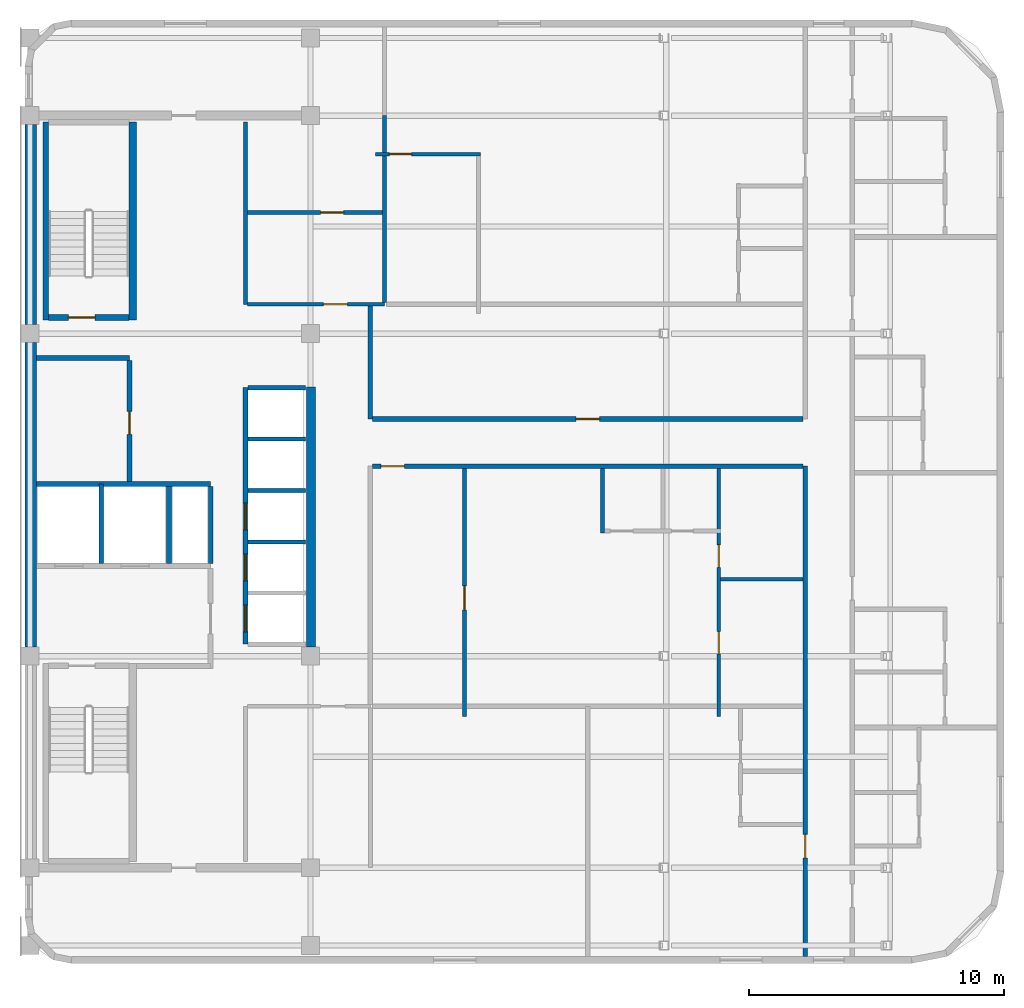
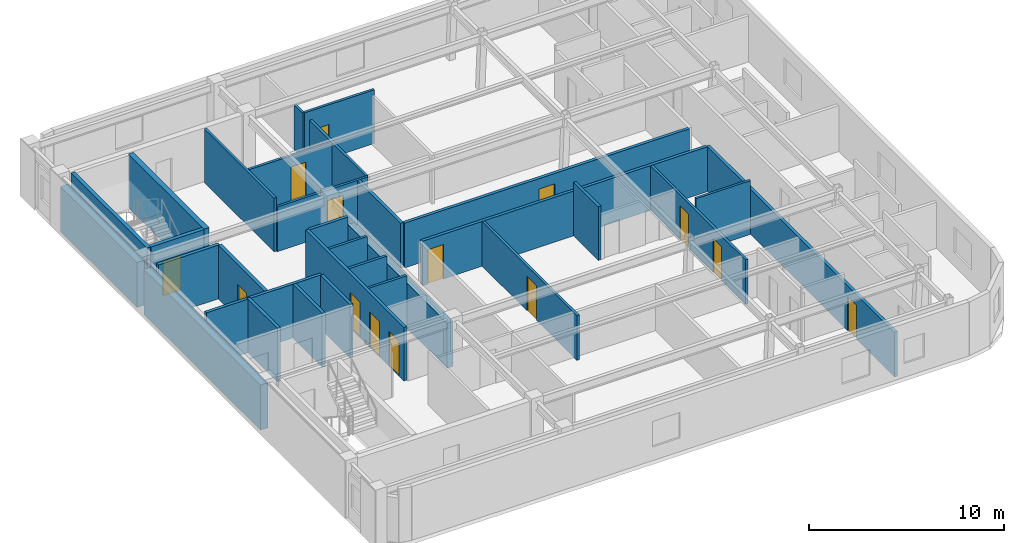
# One storey, part 3 of 6: 30 walls, 14 doors, 14 openings.
"""IFC4 building model written with IfcOpenShell, lengths in metres."""

from ifc_helpers import new_model, si_unit, direction, frame, frame_2d, origin, place, context, subcontext, project, spatial, rectangle, extrude, material, layer, layer_set, type_object, element, fill, save


model = new_model("IFC4")

# Units and contexts
model_context = context("Model", 3, precision=1e-05, world=origin(), true_north=direction((0.0, 1.0)))
body_context = subcontext(model_context, "Body", "Model", "MODEL_VIEW")
ifc_project = project(units=[si_unit("LENGTHUNIT", "METRE"), si_unit("AREAUNIT", "SQUARE_METRE"), si_unit("VOLUMEUNIT", "CUBIC_METRE"), si_unit("PLANEANGLEUNIT", "RADIAN"), si_unit("MASSUNIT", "GRAM", prefix="KILO")], contexts=[model_context])

# Site, building, storey
site_placement = place(None, origin())
site = spatial("IfcSite", under=ifc_project, at=site_placement, CompositionType="ELEMENT")
building_placement = place(site_placement, origin())
building = spatial("IfcBuilding", under=site, at=building_placement, Name="Ochreholt Gables", CompositionType="ELEMENT")
storey_placement = place(building_placement, frame((0.0, 0.0, 260.39990234375)))
storey = spatial("IfcBuildingStorey", under=building, at=storey_placement, Name="L68", CompositionType="ELEMENT", Elevation=260.39990234375)

# Walls
ifc_material_1 = material(Name="Concrete 50 MPa", Category="concrete")
ifc_layer_1 = layer(ifc_material_1, 0.35009765625, Name="Concrete 50 MPa")
ifc_layer_set_1 = layer_set([ifc_layer_1], Name="Concrete 50 MPa")
wall_type_1 = type_object("IfcWallType", Name="WALL-CSW-350", PredefinedType="SHEAR", material=ifc_layer_set_1)
wall_1_placement = place(storey_placement, frame((35.22509765625, 17.89990234375, 0.0), z_axis=(0.0, 0.0, 1.0), x_axis=(0.0, 1.0, 0.0)))
element("IfcWall", 1, at=wall_1_placement, inside=storey, type_object=wall_type_1, Name="L68 Core Central-East Shear Wall", PredefinedType="SHEAR", context=body_context, shape_type="SweptSolid", body=[
    extrude(rectangle(XDim=10.2001953125, YDim=0.35009765625, at=frame_2d((5.10009765625, 0.0))), origin(), (0.0, 0.0, 1.0), 2.821044921875),
])
ifc_layer_2 = layer(ifc_material_1, 0.449951171875, Name="Concrete 50 MPa")
ifc_layer_set_2 = layer_set([ifc_layer_2], Name="Concrete 50 MPa")
wall_type_2 = type_object("IfcWallType", Name="WALL-CSW-EXT", PredefinedType="SHEAR", material=ifc_layer_set_2)
wall_2_placement = place(storey_placement, frame((24.22509765625, 17.89990234375, 0.0), z_axis=(0.0, 0.0, 1.0), x_axis=(0.0, 1.0, 0.0)))
element("IfcWall", 2, at=wall_2_placement, inside=storey, type_object=wall_type_2, Name="L68 Core West Shear Wall WM", PredefinedType="SHEAR", context=body_context, shape_type="SweptSolid", body=[
    extrude(rectangle(XDim=11.9501953125, YDim=0.449951171875, at=frame_2d((5.97509765625, 0.0))), origin(), (0.0, 0.0, 1.0), 2.821044921875),
])
wall_3_placement = place(storey_placement, frame((24.22509765625, 30.550048828125, 0.0), z_axis=(0.0, 0.0, 1.0), x_axis=(0.0, 1.0, 0.0)))
element("IfcWall", 3, at=wall_3_placement, inside=storey, type_object=wall_type_2, Name="L68 Core West Shear Wall WN", PredefinedType="SHEAR", context=body_context, shape_type="SweptSolid", body=[
    extrude(rectangle(XDim=7.849853515625, YDim=0.449951171875, at=frame_2d((3.9248046875, 0.0))), origin(), (0.0, 0.0, 1.0), 2.821044921875),
])
ifc_material_2 = material(Name="Concrete 40 MPa", Category="concrete")
ifc_layer_3 = layer(ifc_material_2, 0.199951171875, Name="Concrete 40 MPa")
ifc_layer_set_3 = layer_set([ifc_layer_3], Name="Concrete 40 MPa")
wall_type_3 = type_object("IfcWallType", Name="WALL-INT-CF200", PredefinedType="STANDARD", material=ifc_layer_set_3)
wall_4_placement = place(storey_placement, frame((24.449951171875, 29.239990234375, 0.0), z_axis=(0.0, 0.0, 1.0), x_axis=(1.0, 0.0, 0.0)))
element("IfcWall", 4, at=wall_4_placement, inside=storey, type_object=wall_type_3, Name="L68 Interior Wall WI-SRVN-L68", PredefinedType="STANDARD", context=body_context, shape_type="SweptSolid", body=[
    extrude(rectangle(XDim=3.650146484375, YDim=0.199951171875, at=frame_2d((1.8251953125, 0.0))), origin(), (0.0, 0.0, 1.0), 3.360107421875),
])

# Wall, opening, door
wall_5_placement = place(storey_placement, frame((28.10009765625, 24.389892578125, 0.0), z_axis=(0.0, 0.0, 1.0), x_axis=(0.0, 1.0, 0.0)))
wall_5 = element("IfcWall", 5, at=wall_5_placement, inside=storey, type_object=wall_type_3, Name="L68 Interior Wall WI-SRVE-L68", PredefinedType="STANDARD", context=body_context, shape_type="SweptSolid", body=[
    extrude(rectangle(XDim=4.75, YDim=0.199951171875, at=frame_2d((2.375, 0.0))), origin(), (0.0, 0.0, 1.0), 3.360107421875),
])
opening_1_placement = place(wall_5_placement, frame((1.860107421875, 0.0, 0.0)))
opening_1 = element("IfcOpeningElement", 6, at=opening_1_placement, cuts=wall_5, Name="Opening D-SV1", PredefinedType="OPENING", context=body_context, shape_type="SweptSolid", body=[
    extrude(rectangle(XDim=0.89990234375, YDim=2.10009765625, at=frame_2d((0.449951171875, 1.050048828125))), frame((0.0, 0.10986328125, 0.0), z_axis=(0.0, -1.0, 0.0), x_axis=(1.0, 0.0, 0.0)), (0.0, 0.0, 1.0), 0.219970703125),
])
ifc_material_3 = material(Name="Hollow Metal Steel", Category="steel")
door_type_1 = type_object("IfcDoorType", Name="DR-INT-SRV900", OperationType="NOTDEFINED", PredefinedType="DOOR", material=ifc_material_3)
door_1_placement = place(opening_1_placement, origin())
door_1 = element("IfcDoor", 7, at=door_1_placement, inside=storey, type_object=door_type_1, Name="L68 Door D-SRV1-L68", OperationType="SINGLE_SWING_LEFT", OverallHeight=2.10009765625, OverallWidth=0.89990234375, PredefinedType="DOOR", context=body_context, shape_type="SweptSolid", body=[
    extrude(rectangle(XDim=0.89990234375, YDim=2.10009765625, at=frame_2d((0.449951171875, 1.050048828125))), frame((0.0, 0.02490234375, 0.0), z_axis=(0.0, -1.0, 0.0), x_axis=(1.0, 0.0, 0.0)), (0.0, 0.0, 1.0), 0.050048828125),
])
fill(opening_1, door_1)

# Wall
ifc_material_4 = material(Name="Fire-Rated Gypsum Acoustic Partition", Category="gypsum")
ifc_layer_4 = layer(ifc_material_4, 0.179931640625, Name="Fire-Rated Gypsum Acoustic Partition")
ifc_layer_set_4 = layer_set([ifc_layer_4], Name="Fire-Rated Gypsum Acoustic Partition")
wall_type_4 = type_object("IfcWallType", Name="WALL-INT-CR180", PredefinedType="STANDARD", material=ifc_layer_set_4)
wall_6_placement = place(storey_placement, frame((37.550048828125, 26.85009765625, 0.0), z_axis=(0.0, 0.0, 1.0), x_axis=(0.0, 1.0, 0.0)))
element("IfcWall", 8, at=wall_6_placement, inside=storey, type_object=wall_type_4, Name="L68 Interior Wall WI-C3CE2-L68", PredefinedType="STANDARD", context=body_context, shape_type="SweptSolid", body=[
    extrude(rectangle(XDim=4.427490234375, YDim=0.179931640625, at=frame_2d((2.2138671875, 0.0))), origin(), (0.0, 0.0, 1.0), 2.802978515625),
])

# Wall, opening, door
wall_7_placement = place(storey_placement, frame((54.60009765625, 5.77001953125, 0.0), z_axis=(0.0, 0.0, 1.0), x_axis=(0.0, 1.0, 0.0)))
wall_7 = element("IfcWall", 9, at=wall_7_placement, inside=storey, type_object=wall_type_4, Name="L68 Interior Wall WI-C3GW0-L68", PredefinedType="STANDARD", context=body_context, shape_type="SweptSolid", body=[
    extrude(rectangle(XDim=19.22998046875, YDim=0.179931640625, at=frame_2d((9.614990234375, 0.0))), origin(), (0.0, 0.0, 1.0), 2.802978515625),
])
opening_2_placement = place(wall_7_placement, frame((3.8701171875, 0.0, 0.0)))
opening_2 = element("IfcOpeningElement", 10, at=opening_2_placement, cuts=wall_7, Name="Opening D-UN1", PredefinedType="OPENING", context=body_context, shape_type="SweptSolid", body=[
    extrude(rectangle(XDim=0.919921875, YDim=2.14990234375, at=frame_2d((0.4599609375, 1.074951171875))), frame((0.0, 0.099853515625, 0.0), z_axis=(0.0, -1.0, 0.0), x_axis=(1.0, 0.0, 0.0)), (0.0, 0.0, 1.0), 0.199951171875),
])
ifc_material_5 = material(Name="Engineered Oak Timber", Category="wood")
door_type_2 = type_object("IfcDoorType", Name="DR-INT-UNT920", OperationType="NOTDEFINED", PredefinedType="DOOR", material=ifc_material_5)
door_2_placement = place(opening_2_placement, origin())
door_2 = element("IfcDoor", 11, at=door_2_placement, inside=storey, type_object=door_type_2, Name="L68 Door D-U-L68SM1-ENT", OperationType="SINGLE_SWING_RIGHT", OverallHeight=2.14990234375, OverallWidth=0.919921875, PredefinedType="DOOR", context=body_context, shape_type="SweptSolid", body=[
    extrude(rectangle(XDim=0.919921875, YDim=2.14990234375, at=frame_2d((0.4599609375, 1.074951171875))), frame((0.0, 0.02490234375, 0.0), z_axis=(0.0, -1.0, 0.0), x_axis=(1.0, 0.0, 0.0)), (0.0, 0.0, 1.0), 0.050048828125),
])
fill(opening_2, door_2)

wall_8_placement = place(storey_placement, frame((37.639892578125, 25.0, 0.0), z_axis=(0.0, 0.0, 1.0), x_axis=(1.0, 0.0, 0.0)))
wall_8 = element("IfcWall", 12, at=wall_8_placement, inside=storey, type_object=wall_type_4, Name="L68 Interior Wall WI-C3BRS1-L68", PredefinedType="STANDARD", context=body_context, shape_type="SweptSolid", body=[
    extrude(rectangle(XDim=16.8701171875, YDim=0.179931640625, at=frame_2d((8.43505859375, 0.0))), origin(), (0.0, 0.0, 1.0), 2.802978515625),
])
opening_3_placement = place(wall_8_placement, frame((0.320068359375, 0.0, 0.0)))
opening_3 = element("IfcOpeningElement", 13, at=opening_3_placement, cuts=wall_8, Name="Opening D-UN1", PredefinedType="OPENING", context=body_context, shape_type="SweptSolid", body=[
    extrude(rectangle(XDim=0.919921875, YDim=2.14990234375, at=frame_2d((0.4599609375, 1.074951171875))), frame((0.0, 0.099853515625, 0.0), z_axis=(0.0, -1.0, 0.0), x_axis=(1.0, 0.0, 0.0)), (0.0, 0.0, 1.0), 0.199951171875),
])
door_3_placement = place(opening_3_placement, origin())
door_3 = element("IfcDoor", 14, at=door_3_placement, inside=storey, type_object=door_type_2, Name="L68 Door D-U-L68SM2-ENT", OperationType="SINGLE_SWING_RIGHT", OverallHeight=2.14990234375, OverallWidth=0.919921875, PredefinedType="DOOR", context=body_context, shape_type="SweptSolid", body=[
    extrude(rectangle(XDim=0.919921875, YDim=2.14990234375, at=frame_2d((0.4599609375, 1.074951171875))), frame((0.0, 0.02490234375, 0.0), z_axis=(0.0, -1.0, 0.0), x_axis=(1.0, 0.0, 0.0)), (0.0, 0.0, 1.0), 0.050048828125),
])
fill(opening_3, door_3)

wall_9_placement = place(storey_placement, frame((37.639892578125, 26.85009765625, 0.0), z_axis=(0.0, 0.0, 1.0), x_axis=(1.0, 0.0, 0.0)))
wall_9 = element("IfcWall", 15, at=wall_9_placement, inside=storey, type_object=wall_type_4, Name="L68 Interior Wall WI-C3BRN1-L68", PredefinedType="STANDARD", context=body_context, shape_type="SweptSolid", body=[
    extrude(rectangle(XDim=16.8701171875, YDim=0.179931640625, at=frame_2d((8.43505859375, 0.0))), origin(), (0.0, 0.0, 1.0), 2.802978515625),
])
opening_4_placement = place(wall_9_placement, frame((7.97509765625, 0.0, 0.0)))
opening_4 = element("IfcOpeningElement", 16, at=opening_4_placement, cuts=wall_9, Name="Opening D-UN1", PredefinedType="OPENING", context=body_context, shape_type="SweptSolid", body=[
    extrude(rectangle(XDim=0.919921875, YDim=2.14990234375, at=frame_2d((0.4599609375, 1.074951171875))), frame((0.0, 0.099853515625, 0.0), z_axis=(0.0, -1.0, 0.0), x_axis=(1.0, 0.0, 0.0)), (0.0, 0.0, 1.0), 0.199951171875),
])
door_4_placement = place(opening_4_placement, origin())
door_4 = element("IfcDoor", 17, at=door_4_placement, inside=storey, type_object=door_type_2, Name="L68 Door D-U-L68NM1-ENT", OperationType="SINGLE_SWING_RIGHT", OverallHeight=2.14990234375, OverallWidth=0.919921875, PredefinedType="DOOR", context=body_context, shape_type="SweptSolid", body=[
    extrude(rectangle(XDim=0.919921875, YDim=2.14990234375, at=frame_2d((0.4599609375, 1.074951171875))), frame((0.0, 0.02490234375, 0.0), z_axis=(0.0, -1.0, 0.0), x_axis=(1.0, 0.0, 0.0)), (0.0, 0.0, 1.0), 0.050048828125),
])
fill(opening_4, door_4)

# Walls
ifc_material_6 = material(Name="Moisture-Resistant Plumbing Chase Wall", Category="gypsum")
ifc_layer_5 = layer(ifc_material_6, 0.159912109375, Name="Moisture-Resistant Plumbing Chase Wall")
ifc_layer_set_5 = layer_set([ifc_layer_5], Name="Moisture-Resistant Plumbing Chase Wall")
wall_type_5 = type_object("IfcWallType", Name="WALL-INT-PL160", PredefinedType="PLUMBINGWALL", material=ifc_layer_set_5)
wall_10_placement = place(storey_placement, frame((46.659912109375, 22.3798828125, 0.0), z_axis=(0.0, 0.0, 1.0), x_axis=(0.0, 1.0, 0.0)))
element("IfcWall", 18, at=wall_10_placement, inside=storey, type_object=wall_type_5, Name="L68 Interior Wall WU-L68SM2-FY", PredefinedType="PLUMBINGWALL", context=body_context, shape_type="SweptSolid", body=[
    extrude(rectangle(XDim=2.530029296875, YDim=0.159912109375, at=frame_2d((1.26513671875, 0.0))), origin(), (0.0, 0.0, 1.0), 3.360107421875),
])
ifc_material_7 = material(Name="Lightweight Stud Partition", Category="gypsum")
ifc_layer_6 = layer(ifc_material_7, 0.14501953125, Name="Lightweight Stud Partition")
ifc_layer_set_6 = layer_set([ifc_layer_6], Name="Lightweight Stud Partition")
wall_type_6 = type_object("IfcWallType", Name="WALL-INT-PT145", PredefinedType="PARTITIONING", material=ifc_layer_set_6)
wall_11_placement = place(storey_placement, frame((32.64990234375, 31.35009765625, 0.0), z_axis=(0.0, 0.0, 1.0), x_axis=(0.0, 1.0, 0.0)))
element("IfcWall", 19, at=wall_11_placement, inside=storey, type_object=wall_type_6, Name="L68 Interior Wall WI-RCM-W-L68", PredefinedType="PARTITIONING", context=body_context, shape_type="SweptSolid", body=[
    extrude(rectangle(XDim=7.14990234375, YDim=0.14501953125, at=frame_2d((3.574951171875, 0.0))), origin(), (0.0, 0.0, 1.0), 3.360107421875),
])

# Wall, opening, door
wall_12_placement = place(storey_placement, frame((32.722412109375, 31.35009765625, 0.0), z_axis=(0.0, 0.0, 1.0), x_axis=(1.0, 0.0, 0.0)))
wall_12 = element("IfcWall", 20, at=wall_12_placement, inside=storey, type_object=wall_type_6, Name="L68 Interior Wall WI-RCM-S-L68", PredefinedType="PARTITIONING", context=body_context, shape_type="SweptSolid", body=[
    extrude(rectangle(XDim=5.377685546875, YDim=0.14501953125, at=frame_2d((2.68896484375, 0.0))), origin(), (0.0, 0.0, 1.0), 2.802978515625),
])
opening_5_placement = place(wall_12_placement, frame((2.9775390625, 0.0, 0.0)))
opening_5 = element("IfcOpeningElement", 21, at=opening_5_placement, cuts=wall_12, Name="Opening D-GN1", PredefinedType="OPENING", context=body_context, shape_type="SweptSolid", body=[
    extrude(rectangle(XDim=0.949951171875, YDim=2.14990234375, at=frame_2d((0.47509765625, 1.074951171875))), frame((0.0, 0.08251953125, 0.0), z_axis=(0.0, -1.0, 0.0), x_axis=(1.0, 0.0, 0.0)), (0.0, 0.0, 1.0), 0.1650390625),
])
door_type_3 = type_object("IfcDoorType", Name="DR-INT-GEN950", OperationType="NOTDEFINED", PredefinedType="DOOR", material=ifc_material_5)
door_5_placement = place(opening_5_placement, origin())
door_5 = element("IfcDoor", 22, at=door_5_placement, inside=storey, type_object=door_type_3, Name="L68 Door D-RCM-L68", OperationType="SINGLE_SWING_RIGHT", OverallHeight=2.14990234375, OverallWidth=0.949951171875, PredefinedType="DOOR", context=body_context, shape_type="SweptSolid", body=[
    extrude(rectangle(XDim=0.949951171875, YDim=2.14990234375, at=frame_2d((0.47509765625, 1.074951171875))), frame((0.0, 0.02490234375, 0.0), z_axis=(0.0, -1.0, 0.0), x_axis=(1.0, 0.0, 0.0)), (0.0, 0.0, 1.0), 0.050048828125),
])
fill(opening_5, door_5)

# Wall
wall_13_placement = place(storey_placement, frame((38.10009765625, 31.422607421875, 0.0), z_axis=(0.0, 0.0, 1.0), x_axis=(0.0, 1.0, 0.0)))
element("IfcWall", 23, at=wall_13_placement, inside=storey, type_object=wall_type_6, Name="L68 Interior Wall WI-RCM-E-L68", PredefinedType="PARTITIONING", context=body_context, shape_type="SweptSolid", body=[
    extrude(rectangle(XDim=7.327392578125, YDim=0.14501953125, at=frame_2d((3.66357421875, 0.0))), origin(), (0.0, 0.0, 1.0), 2.802978515625),
])

# Wall, opening, door
wall_14_placement = place(storey_placement, frame((32.722412109375, 34.949951171875, 0.0), z_axis=(0.0, 0.0, 1.0), x_axis=(1.0, 0.0, 0.0)))
wall_14 = element("IfcWall", 24, at=wall_14_placement, inside=storey, type_object=wall_type_6, Name="L68 Interior Wall WI-RCM-DV-L68", PredefinedType="PARTITIONING", context=body_context, shape_type="SweptSolid", body=[
    extrude(rectangle(XDim=5.30517578125, YDim=0.14501953125, at=frame_2d((2.652587890625, 0.0))), origin(), (0.0, 0.0, 1.0), 2.802978515625),
])
opening_6_placement = place(wall_14_placement, frame((2.87744140625, 0.0, 0.0)))
opening_6 = element("IfcOpeningElement", 25, at=opening_6_placement, cuts=wall_14, Name="Opening D-SV1", PredefinedType="OPENING", context=body_context, shape_type="SweptSolid", body=[
    extrude(rectangle(XDim=0.89990234375, YDim=2.10009765625, at=frame_2d((0.449951171875, 1.050048828125))), frame((0.0, 0.08251953125, 0.0), z_axis=(0.0, -1.0, 0.0), x_axis=(1.0, 0.0, 0.0)), (0.0, 0.0, 1.0), 0.1650390625),
])
door_6_placement = place(opening_6_placement, origin())
door_6 = element("IfcDoor", 26, at=door_6_placement, inside=storey, type_object=door_type_1, Name="L68 Door D-RCMI-L68", OperationType="SINGLE_SWING_LEFT", OverallHeight=2.10009765625, OverallWidth=0.89990234375, PredefinedType="DOOR", context=body_context, shape_type="SweptSolid", body=[
    extrude(rectangle(XDim=0.89990234375, YDim=2.10009765625, at=frame_2d((0.449951171875, 1.050048828125))), frame((0.0, 0.02490234375, 0.0), z_axis=(0.0, -1.0, 0.0), x_axis=(1.0, 0.0, 0.0)), (0.0, 0.0, 1.0), 0.050048828125),
])
fill(opening_6, door_6)

# Wall, openings, doors
wall_15_placement = place(storey_placement, frame((51.2099609375, 15.18994140625, 0.0), z_axis=(0.0, 0.0, 1.0), x_axis=(0.0, 1.0, 0.0)))
wall_15 = element("IfcWall", 27, at=wall_15_placement, inside=storey, type_object=wall_type_6, Name="L68 Interior Wall WU-L68SM2-MNX", PredefinedType="PARTITIONING", context=body_context, shape_type="SweptSolid", body=[
    extrude(rectangle(XDim=9.719970703125, YDim=0.14501953125, at=frame_2d((4.85986328125, 0.0))), origin(), (0.0, 0.0, 1.0), 2.802978515625),
])
opening_7_placement = place(wall_15_placement, frame((2.445068359375, 0.0, 0.0)))
opening_7 = element("IfcOpeningElement", 28, at=opening_7_placement, cuts=wall_15, Name="Opening D-BD2", PredefinedType="OPENING", context=body_context, shape_type="SweptSolid", body=[
    extrude(rectangle(XDim=0.8798828125, YDim=2.139892578125, at=frame_2d((0.43994140625, 1.06982421875))), frame((0.0, 0.08251953125, 0.0), z_axis=(0.0, -1.0, 0.0), x_axis=(1.0, 0.0, 0.0)), (0.0, 0.0, 1.0), 0.1650390625),
])
opening_8_placement = place(wall_15_placement, frame((5.840087890625, 0.0, 0.0)))
opening_8 = element("IfcOpeningElement", 29, at=opening_8_placement, cuts=wall_15, Name="Opening D-GN2", PredefinedType="OPENING", context=body_context, shape_type="SweptSolid", body=[
    extrude(rectangle(XDim=0.8798828125, YDim=2.1201171875, at=frame_2d((0.43994140625, 1.06005859375))), frame((0.0, 0.08251953125, 0.0), z_axis=(0.0, -1.0, 0.0), x_axis=(1.0, 0.0, 0.0)), (0.0, 0.0, 1.0), 0.1650390625),
])
door_type_4 = type_object("IfcDoorType", Name="DR-INT-BED880", OperationType="NOTDEFINED", PredefinedType="DOOR", material=ifc_material_5)
door_7_placement = place(opening_7_placement, origin())
door_7 = element("IfcDoor", 30, at=door_7_placement, inside=storey, type_object=door_type_4, Name="L68 Door D-U-L68SM2-BD1", OperationType="SINGLE_SWING_RIGHT", OverallHeight=2.139892578125, OverallWidth=0.8798828125, PredefinedType="DOOR", context=body_context, shape_type="SweptSolid", body=[
    extrude(rectangle(XDim=0.8798828125, YDim=2.139892578125, at=frame_2d((0.43994140625, 1.06982421875))), frame((0.0, 0.02490234375, 0.0), z_axis=(0.0, -1.0, 0.0), x_axis=(1.0, 0.0, 0.0)), (0.0, 0.0, 1.0), 0.050048828125),
])
fill(opening_7, door_7)
door_type_5 = type_object("IfcDoorType", Name="DR-INT-GEN880", OperationType="NOTDEFINED", PredefinedType="DOOR", material=ifc_material_5)
door_8_placement = place(opening_8_placement, origin())
door_8 = element("IfcDoor", 31, at=door_8_placement, inside=storey, type_object=door_type_5, Name="L68 Door D-U-L68SM2-BD2", OperationType="SINGLE_SWING_LEFT", OverallHeight=2.1201171875, OverallWidth=0.8798828125, PredefinedType="DOOR", context=body_context, shape_type="SweptSolid", body=[
    extrude(rectangle(XDim=0.8798828125, YDim=2.1201171875, at=frame_2d((0.43994140625, 1.06005859375))), frame((0.0, 0.02490234375, 0.0), z_axis=(0.0, -1.0, 0.0), x_axis=(1.0, 0.0, 0.0)), (0.0, 0.0, 1.0), 0.050048828125),
])
fill(opening_8, door_8)

# Wall, opening, door
wall_16_placement = place(storey_placement, frame((41.239990234375, 15.18994140625, 0.0), z_axis=(0.0, 0.0, 1.0), x_axis=(0.0, 1.0, 0.0)))
wall_16 = element("IfcWall", 32, at=wall_16_placement, inside=storey, type_object=wall_type_6, Name="L68 Interior Wall WU-L68SM2-DNX", PredefinedType="PARTITIONING", context=body_context, shape_type="SweptSolid", body=[
    extrude(rectangle(XDim=9.719970703125, YDim=0.14501953125, at=frame_2d((4.85986328125, 0.0))), origin(), (0.0, 0.0, 1.0), 2.802978515625),
])
opening_9_placement = place(wall_16_placement, frame((4.169921875, 0.0, 0.0)))
opening_9 = element("IfcOpeningElement", 33, at=opening_9_placement, cuts=wall_16, Name="Opening D-GN1", PredefinedType="OPENING", context=body_context, shape_type="SweptSolid", body=[
    extrude(rectangle(XDim=0.949951171875, YDim=2.14990234375, at=frame_2d((0.47509765625, 1.074951171875))), frame((0.0, 0.08251953125, 0.0), z_axis=(0.0, -1.0, 0.0), x_axis=(1.0, 0.0, 0.0)), (0.0, 0.0, 1.0), 0.1650390625),
])
door_9_placement = place(opening_9_placement, origin())
door_9 = element("IfcDoor", 34, at=door_9_placement, inside=storey, type_object=door_type_3, Name="L68 Door D-U-L68SM2-DIN", OperationType="SINGLE_SWING_LEFT", OverallHeight=2.14990234375, OverallWidth=0.949951171875, PredefinedType="DOOR", context=body_context, shape_type="SweptSolid", body=[
    extrude(rectangle(XDim=0.949951171875, YDim=2.14990234375, at=frame_2d((0.47509765625, 1.074951171875))), frame((0.0, 0.02490234375, 0.0), z_axis=(0.0, -1.0, 0.0), x_axis=(1.0, 0.0, 0.0)), (0.0, 0.0, 1.0), 0.050048828125),
])
fill(opening_9, door_9)

# Wall
wall_17_placement = place(storey_placement, frame((51.2900390625, 20.570068359375, 0.0), z_axis=(0.0, 0.0, 1.0), x_axis=(1.0, 0.0, 0.0)))
element("IfcWall", 35, at=wall_17_placement, inside=storey, type_object=wall_type_6, Name="L68 Interior Wall WU-L68SM2-RDV", PredefinedType="PARTITIONING", context=body_context, shape_type="SweptSolid", body=[
    extrude(rectangle(XDim=3.219970703125, YDim=0.14501953125, at=frame_2d((1.60986328125, 0.0))), origin(), (0.0, 0.0, 1.0), 3.360107421875),
])

# Wall, opening, door
wall_18_placement = place(storey_placement, frame((37.739990234375, 37.239990234375, 0.0), z_axis=(0.0, 0.0, 1.0), x_axis=(1.0, 0.0, 0.0)))
wall_18 = element("IfcWall", 36, at=wall_18_placement, inside=storey, type_object=wall_type_6, Name="L68 Interior Wall WU-L68NM2-STN", PredefinedType="PARTITIONING", context=body_context, shape_type="SweptSolid", body=[
    extrude(rectangle(XDim=4.130126953125, YDim=0.14501953125, at=frame_2d((2.06494140625, 0.0))), origin(), (0.0, 0.0, 1.0), 3.360107421875),
])
opening_10_placement = place(wall_18_placement, frame((0.550048828125, 0.0, 0.0)))
opening_10 = element("IfcOpeningElement", 37, at=opening_10_placement, cuts=wall_18, Name="Opening D-GN2", PredefinedType="OPENING", context=body_context, shape_type="SweptSolid", body=[
    extrude(rectangle(XDim=0.8798828125, YDim=2.1201171875, at=frame_2d((0.43994140625, 1.06005859375))), frame((0.0, 0.08251953125, 0.0), z_axis=(0.0, -1.0, 0.0), x_axis=(1.0, 0.0, 0.0)), (0.0, 0.0, 1.0), 0.1650390625),
])
door_10_placement = place(opening_10_placement, origin())
door_10 = element("IfcDoor", 38, at=door_10_placement, inside=storey, type_object=door_type_5, Name="L68 Door D-U-L68NM2-STD", OperationType="SINGLE_SWING_RIGHT", OverallHeight=2.1201171875, OverallWidth=0.8798828125, PredefinedType="DOOR", context=body_context, shape_type="SweptSolid", body=[
    extrude(rectangle(XDim=0.8798828125, YDim=2.1201171875, at=frame_2d((0.43994140625, 1.06005859375))), frame((0.0, 0.02490234375, 0.0), z_axis=(0.0, -1.0, 0.0), x_axis=(1.0, 0.0, 0.0)), (0.0, 0.0, 1.0), 0.050048828125),
])
fill(opening_10, door_10)

# Walls
ifc_material_8 = material(Name="Gypsum Shaftliner and Steel Stud", Category="steel")
ifc_layer_7 = layer(ifc_material_8, 0.14990234375, Name="Gypsum Shaftliner and Steel Stud")
ifc_layer_set_7 = layer_set([ifc_layer_7], Name="Gypsum Shaftliner and Steel Stud")
wall_type_7 = type_object("IfcWallType", Name="WALL-INT-SH150", PredefinedType="STANDARD", material=ifc_layer_set_7)
for number, where, z_axis, x_axis, name in (
    (39, (32.739990234375, 22.02001953125, 0.0), (0.0, 0.0, 1.0), (1.0, 0.0, 0.0), "L68 Interior Wall WI-LFHE-DH2-L68"),
    (40, (32.739990234375, 24.050048828125, 0.0), (0.0, 0.0, 1.0), (1.0, 0.0, 0.0), "L68 Interior Wall WI-LFHE-DHE-L68"),
    (41, (32.739990234375, 26.070068359375, 0.0), (0.0, 0.0, 1.0), (1.0, 0.0, 0.0), "L68 Interior Wall WI-LFHE-DEX1-L68"),
):
    element("IfcWall", number, at=place(storey_placement, frame(where, z_axis=z_axis, x_axis=x_axis)), inside=storey, type_object=wall_type_7, Name=name, PredefinedType="STANDARD", context=body_context, shape_type="SweptSolid", body=[
        extrude(rectangle(XDim=2.260009765625, YDim=0.14990234375, at=frame_2d((1.1298828125, 0.0))), origin(), (0.0, 0.0, 1.0), 3.360107421875),
    ])
ifc_layer_8 = layer(ifc_material_8, 0.179931640625, Name="Gypsum Shaftliner and Steel Stud")
ifc_layer_set_8 = layer_set([ifc_layer_8], Name="Gypsum Shaftliner and Steel Stud")
wall_type_8 = type_object("IfcWallType", Name="WALL-INT-SH180", PredefinedType="STANDARD", material=ifc_layer_set_8)
wall_19_placement = place(storey_placement, frame((27.0, 21.18994140625, 0.0), z_axis=(0.0, 0.0, 1.0), x_axis=(0.0, 1.0, 0.0)))
element("IfcWall", 42, at=wall_19_placement, inside=storey, type_object=wall_type_8, Name="L68 Interior Wall WI-FFDIV-L68", PredefinedType="STANDARD", context=body_context, shape_type="SweptSolid", body=[
    extrude(rectangle(XDim=3.110107421875, YDim=0.179931640625, at=frame_2d((1.55517578125, 0.0))), origin(), (0.0, 0.0, 1.0), 3.360107421875),
])
wall_20_placement = place(storey_placement, frame((24.449951171875, 24.300048828125, 0.0), z_axis=(0.0, 0.0, 1.0), x_axis=(1.0, 0.0, 0.0)))
element("IfcWall", 43, at=wall_20_placement, inside=storey, type_object=wall_type_8, Name="L68 Interior Wall WI-FFBK-L68", PredefinedType="STANDARD", context=body_context, shape_type="SweptSolid", body=[
    extrude(rectangle(XDim=6.830078125, YDim=0.179931640625, at=frame_2d((3.4150390625, 0.0))), origin(), (0.0, 0.0, 1.0), 3.360107421875),
])
for number, where, z_axis, x_axis, name in (
    (44, (29.64990234375, 21.18994140625, 0.0), (0.0, 0.0, 1.0), (0.0, 1.0, 0.0), "L68 Interior Wall WI-FFSH-L68"),
    (45, (31.280029296875, 21.18994140625, 0.0), (0.0, 0.0, 1.0), (0.0, 1.0, 0.0), "L68 Interior Wall WI-RSE-L68"),
):
    element("IfcWall", number, at=place(storey_placement, frame(where, z_axis=z_axis, x_axis=x_axis)), inside=storey, type_object=wall_type_8, Name=name, PredefinedType="STANDARD", context=body_context, shape_type="SweptSolid", body=[
        extrude(rectangle(XDim=3.02001953125, YDim=0.179931640625, at=frame_2d((1.510009765625, 0.0))), origin(), (0.0, 0.0, 1.0), 3.360107421875),
    ])

# Wall, openings, doors
wall_21_placement = place(storey_placement, frame((32.64990234375, 18.02001953125, 0.0), z_axis=(0.0, 0.0, 1.0), x_axis=(0.0, 1.0, 0.0)))
wall_21 = element("IfcWall", 46, at=wall_21_placement, inside=storey, type_object=wall_type_8, Name="L68 Interior Wall WI-LFHE-FR-L68", PredefinedType="STANDARD", context=body_context, shape_type="SweptSolid", body=[
    extrude(rectangle(XDim=10.06005859375, YDim=0.179931640625, at=frame_2d((5.030029296875, 0.0))), origin(), (0.0, 0.0, 1.0), 3.360107421875),
])
opening_11_placement = place(wall_21_placement, frame((0.47998046875, 0.0, 0.0)))
opening_11 = element("IfcOpeningElement", 47, at=opening_11_placement, cuts=wall_21, Name="Opening LD-PX", PredefinedType="OPENING", context=body_context, shape_type="SweptSolid", body=[
    extrude(rectangle(XDim=1.050048828125, YDim=2.199951171875, at=frame_2d((0.52490234375, 1.10009765625))), frame((0.0, 0.099853515625, 0.0), z_axis=(0.0, -1.0, 0.0), x_axis=(1.0, 0.0, 0.0)), (0.0, 0.0, 1.0), 0.199951171875),
])
opening_12_placement = place(wall_21_placement, frame((2.47998046875, 0.0, 0.0)))
opening_12 = element("IfcOpeningElement", 48, at=opening_12_placement, cuts=wall_21, Name="Opening LD-PX", PredefinedType="OPENING", context=body_context, shape_type="SweptSolid", body=[
    extrude(rectangle(XDim=1.050048828125, YDim=2.199951171875, at=frame_2d((0.52490234375, 1.10009765625))), frame((0.0, 0.099853515625, 0.0), z_axis=(0.0, -1.0, 0.0), x_axis=(1.0, 0.0, 0.0)), (0.0, 0.0, 1.0), 0.199951171875),
])
opening_13_placement = place(wall_21_placement, frame((4.47998046875, 0.0, 0.0)))
opening_13 = element("IfcOpeningElement", 49, at=opening_13_placement, cuts=wall_21, Name="Opening LD-PX", PredefinedType="OPENING", context=body_context, shape_type="SweptSolid", body=[
    extrude(rectangle(XDim=1.050048828125, YDim=2.199951171875, at=frame_2d((0.52490234375, 1.10009765625))), frame((0.0, 0.099853515625, 0.0), z_axis=(0.0, -1.0, 0.0), x_axis=(1.0, 0.0, 0.0)), (0.0, 0.0, 1.0), 0.199951171875),
])
ifc_material_9 = material(Name="Stainless Steel", Category="steel")
door_type_6 = type_object("IfcDoorType", Name="DR-LFT-PX1050", OperationType="NOTDEFINED", PredefinedType="DOOR", material=ifc_material_9)
door_11_placement = place(opening_11_placement, origin())
door_11 = element("IfcDoor", 50, at=door_11_placement, inside=storey, type_object=door_type_6, Name="L68 Door LD-LF-H1-L68", OperationType="SLIDING_TO_LEFT", OverallHeight=2.199951171875, OverallWidth=1.050048828125, PredefinedType="DOOR", context=body_context, shape_type="SweptSolid", body=[
    extrude(rectangle(XDim=1.050048828125, YDim=2.199951171875, at=frame_2d((0.52490234375, 1.10009765625))), frame((0.0, 0.02490234375, 0.0), z_axis=(0.0, -1.0, 0.0), x_axis=(1.0, 0.0, 0.0)), (0.0, 0.0, 1.0), 0.050048828125),
])
fill(opening_11, door_11)
door_12_placement = place(opening_12_placement, origin())
door_12 = element("IfcDoor", 51, at=door_12_placement, inside=storey, type_object=door_type_6, Name="L68 Door LD-LF-H2-L68", OperationType="SLIDING_TO_LEFT", OverallHeight=2.199951171875, OverallWidth=1.050048828125, PredefinedType="DOOR", context=body_context, shape_type="SweptSolid", body=[
    extrude(rectangle(XDim=1.050048828125, YDim=2.199951171875, at=frame_2d((0.52490234375, 1.10009765625))), frame((0.0, 0.02490234375, 0.0), z_axis=(0.0, -1.0, 0.0), x_axis=(1.0, 0.0, 0.0)), (0.0, 0.0, 1.0), 0.050048828125),
])
fill(opening_12, door_12)
door_13_placement = place(opening_13_placement, origin())
door_13 = element("IfcDoor", 52, at=door_13_placement, inside=storey, type_object=door_type_6, Name="L68 Door LD-LF-H3-L68", OperationType="SLIDING_TO_LEFT", OverallHeight=2.199951171875, OverallWidth=1.050048828125, PredefinedType="DOOR", context=body_context, shape_type="SweptSolid", body=[
    extrude(rectangle(XDim=1.050048828125, YDim=2.199951171875, at=frame_2d((0.52490234375, 1.10009765625))), frame((0.0, 0.02490234375, 0.0), z_axis=(0.0, -1.0, 0.0), x_axis=(1.0, 0.0, 0.0)), (0.0, 0.0, 1.0), 0.050048828125),
])
fill(opening_13, door_13)

# Walls
wall_22_placement = place(storey_placement, frame((32.739990234375, 28.080078125, 0.0), z_axis=(0.0, 0.0, 1.0), x_axis=(1.0, 0.0, 0.0)))
element("IfcWall", 53, at=wall_22_placement, inside=storey, type_object=wall_type_8, Name="L68 Interior Wall WI-LFHE-N-L68", PredefinedType="STANDARD", context=body_context, shape_type="SweptSolid", body=[
    extrude(rectangle(XDim=2.260009765625, YDim=0.179931640625, at=frame_2d((1.1298828125, 0.0))), origin(), (0.0, 0.0, 1.0), 3.360107421875),
])
ifc_material_10 = material(Name="Concrete 60 MPa", Category="concrete")
ifc_layer_9 = layer(ifc_material_10, 0.300048828125, Name="Concrete 60 MPa")
ifc_layer_set_9 = layer_set([ifc_layer_9], Name="Concrete 60 MPa")
wall_type_9 = type_object("IfcWallType", Name="WALL-SPN-300", PredefinedType="SHEAR", material=ifc_layer_set_9)
wall_23_placement = place(storey_placement, frame((28.22998046875, 30.739990234375, 0.0), z_axis=(0.0, 0.0, 1.0), x_axis=(0.0, 1.0, 0.0)))
element("IfcWall", 54, at=wall_23_placement, inside=storey, type_object=wall_type_9, Name="L68 Core North Spine Shear Wall", PredefinedType="SHEAR", context=body_context, shape_type="SweptSolid", body=[
    extrude(rectangle(XDim=7.760009765625, YDim=0.300048828125, at=frame_2d((3.8798828125, 0.0))), origin(), (0.0, 0.0, 1.0), 3.360107421875),
])
ifc_layer_10 = layer(ifc_material_1, 0.219970703125, Name="Concrete 50 MPa")
ifc_layer_set_10 = layer_set([ifc_layer_10], Name="Concrete 50 MPa")
wall_type_10 = type_object("IfcWallType", Name="WALL-STW-220", PredefinedType="SHEAR", material=ifc_layer_set_10)
wall_24_placement = place(storey_placement, frame((24.81005859375, 30.739990234375, 0.0), z_axis=(0.0, 0.0, 1.0), x_axis=(0.0, 1.0, 0.0)))
element("IfcWall", 55, at=wall_24_placement, inside=storey, type_object=wall_type_10, Name="L68 Exit Stair 2 West Wall", PredefinedType="SHEAR", context=body_context, shape_type="SweptSolid", body=[
    extrude(rectangle(XDim=7.760009765625, YDim=0.219970703125, at=frame_2d((3.8798828125, 0.0))), origin(), (0.0, 0.0, 1.0), 3.360107421875),
])

# Wall, opening, door
wall_25_placement = place(storey_placement, frame((24.919921875, 30.830078125, 0.0), z_axis=(0.0, 0.0, 1.0), x_axis=(1.0, 0.0, 0.0)))
wall_25 = element("IfcWall", 56, at=wall_25_placement, inside=storey, type_object=wall_type_10, Name="L68 Exit Stair 2 South Wall", PredefinedType="SHEAR", context=body_context, shape_type="SweptSolid", body=[
    extrude(rectangle(XDim=3.16015625, YDim=0.219970703125, at=frame_2d((1.580078125, 0.0))), origin(), (0.0, 0.0, 1.0), 3.360107421875),
])
opening_14_placement = place(wall_25_placement, frame((0.780029296875, 0.0, 0.0)))
opening_14 = element("IfcOpeningElement", 57, at=opening_14_placement, cuts=wall_25, Name="Opening D-STC", PredefinedType="OPENING", context=body_context, shape_type="SweptSolid", body=[
    extrude(rectangle(XDim=1.050048828125, YDim=2.14990234375, at=frame_2d((0.52490234375, 1.074951171875))), frame((0.0, 0.119873046875, 0.0), z_axis=(0.0, -1.0, 0.0), x_axis=(1.0, 0.0, 0.0)), (0.0, 0.0, 1.0), 0.239990234375),
])
door_type_7 = type_object("IfcDoorType", Name="DR-INT-ST1050", OperationType="NOTDEFINED", PredefinedType="DOOR", material=ifc_material_3)
door_14_placement = place(opening_14_placement, origin())
door_14 = element("IfcDoor", 58, at=door_14_placement, inside=storey, type_object=door_type_7, Name="L68 Door D-ST2-L68", OperationType="SINGLE_SWING_RIGHT", OverallHeight=2.14990234375, OverallWidth=1.050048828125, PredefinedType="DOOR", context=body_context, shape_type="SweptSolid", body=[
    extrude(rectangle(XDim=1.050048828125, YDim=2.14990234375, at=frame_2d((0.52490234375, 1.074951171875))), frame((0.0, 0.02490234375, 0.0), z_axis=(0.0, -1.0, 0.0), x_axis=(1.0, 0.0, 0.0)), (0.0, 0.0, 1.0), 0.050048828125),
])
fill(opening_14, door_14)

save(model, "model.ifc")
